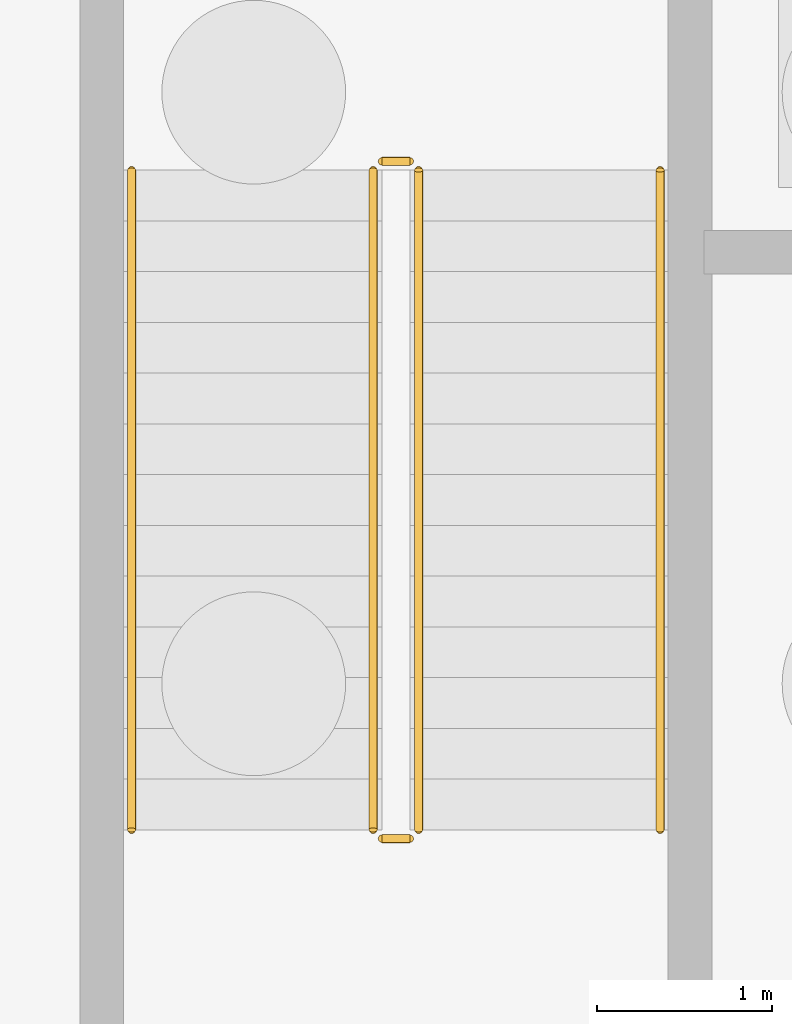
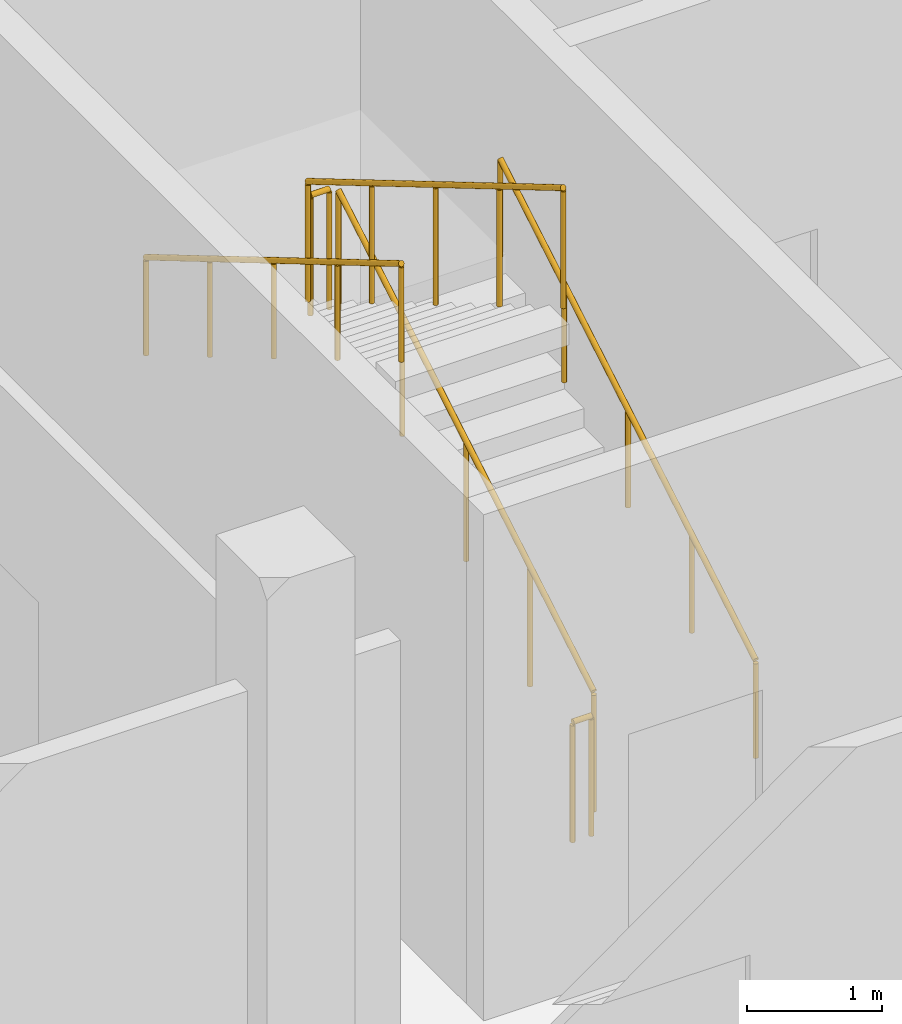
# One storey, part 67 of 72: 6 railings.
"""IFC4 building model written with IfcOpenShell, lengths in metres."""

from ifc_helpers import new_model, si_unit, direction, frame, origin, origin_2d, place, context, subcontext, project, spatial, circle, extrude, material, type_object, element, save


model = new_model("IFC4")

# Units and contexts
model_context = context("Model", 3, precision=1e-05, world=origin(), true_north=direction((0.0, 1.0)))
body_context = subcontext(model_context, "Body", "Model", "MODEL_VIEW")
ifc_project = project(units=[si_unit("LENGTHUNIT", "METRE"), si_unit("AREAUNIT", "SQUARE_METRE"), si_unit("VOLUMEUNIT", "CUBIC_METRE"), si_unit("PLANEANGLEUNIT", "RADIAN"), si_unit("MASSUNIT", "GRAM", prefix="KILO")], contexts=[model_context])

# Site, building, storey
site_placement = place(None, origin())
site = spatial("IfcSite", under=ifc_project, at=site_placement, CompositionType="ELEMENT")
building_placement = place(site_placement, origin())
building = spatial("IfcBuilding", under=site, at=building_placement, Name="Cinderway Yard Community Centre", CompositionType="ELEMENT")
storey_placement = place(building_placement, origin())
storey = spatial("IfcBuildingStorey", under=building, at=storey_placement, Name="L00", CompositionType="ELEMENT", Elevation=0.0)

# Railings
ifc_material = material(Name="Painted Galvanised Steel", Category="steel")
railing_type_1 = type_object("IfcRailingType", Name="INT-RAL-GRD112", PredefinedType="GUARDRAIL", material=ifc_material)
railing_1_placement = place(storey_placement, frame((78.77001953125, 108.429931640625, 0.17138671875)))
element("IfcRailing", 1, at=railing_1_placement, inside=storey, type_object=railing_type_1, Name="L00 ST-02 stair guard 1", PredefinedType="GUARDRAIL", context=body_context, shape_type="SweptSolid", body=[
    extrude(circle(Radius=0.02392578125, at=origin_2d()), frame((0.0, 0.0, 1.076171875), z_axis=(0.0, 0.860848830602, 0.508860777473), x_axis=(-1.0, 0.0, 0.0)), (0.0, 0.0, 1.0), 4.37939453125),
    extrude(circle(Radius=0.02099609375, at=origin_2d()), origin(), (0.0, 0.0, 1.0), 1.052001953125),
    extrude(circle(Radius=0.02099609375, at=origin_2d()), frame((0.0, 0.9423828125, 0.55712890625)), (0.0, 0.0, 1.0), 1.052001953125),
    extrude(circle(Radius=0.02099609375, at=origin_2d()), frame((0.0, 1.885009765625, 1.1142578125)), (0.0, 0.0, 1.0), 1.052001953125),
    extrude(circle(Radius=0.02099609375, at=origin_2d()), frame((0.0, 2.82763671875, 1.67138671875)), (0.0, 0.0, 1.0), 1.052001953125),
    extrude(circle(Radius=0.02099609375, at=origin_2d()), frame((0.0, 3.77001953125, 2.228515625)), (0.0, 0.0, 1.0), 1.052001953125),
])
railing_2_placement = place(storey_placement, frame((78.719970703125, 112.25, 2.39990234375)))
element("IfcRailing", 2, at=railing_2_placement, inside=storey, type_object=railing_type_1, Name="L00 ST-02 stair guard 2", PredefinedType="GUARDRAIL", context=body_context, shape_type="SweptSolid", body=[
    extrude(circle(Radius=0.02392578125, at=origin_2d()), frame((0.0, 0.0, 1.076171875), z_axis=(-1.0, 0.0, 0.0), x_axis=(0.0, -1.0, 0.0)), (0.0, 0.0, 1.0), 0.159912109375),
    extrude(circle(Radius=0.02099609375, at=origin_2d()), origin(), (0.0, 0.0, 1.0), 1.052001953125),
    extrude(circle(Radius=0.02099609375, at=origin_2d()), frame((-0.159912109375, 0.0, 0.0)), (0.0, 0.0, 1.0), 1.052001953125),
])
railing_3_placement = place(storey_placement, frame((78.510009765625, 112.199951171875, 2.571533203125)))
element("IfcRailing", 3, at=railing_3_placement, inside=storey, type_object=railing_type_1, Name="L00 ST-02 stair guard 3", PredefinedType="GUARDRAIL", context=body_context, shape_type="SweptSolid", body=[
    extrude(circle(Radius=0.02392578125, at=origin_2d()), frame((0.0, 0.0, 1.076171875), z_axis=(0.0, -0.860848830602, 0.508860777473), x_axis=(1.0, 0.0, 0.0)), (0.0, 0.0, 1.0), 4.37939453125),
    extrude(circle(Radius=0.02099609375, at=origin_2d()), origin(), (0.0, 0.0, 1.0), 1.052001953125),
    extrude(circle(Radius=0.02099609375, at=origin_2d()), frame((0.0, -0.9423828125, 0.55712890625)), (0.0, 0.0, 1.0), 1.052001953125),
    extrude(circle(Radius=0.02099609375, at=origin_2d()), frame((0.0, -1.885009765625, 1.1142578125)), (0.0, 0.0, 1.0), 1.052001953125),
    extrude(circle(Radius=0.02099609375, at=origin_2d()), frame((0.0, -2.82763671875, 1.67138671875)), (0.0, 0.0, 1.0), 1.052001953125),
    extrude(circle(Radius=0.02099609375, at=origin_2d()), frame((0.0, -3.77001953125, 2.228515625)), (0.0, 0.0, 1.0), 1.052001953125),
])
railing_4_placement = place(storey_placement, frame((78.719970703125, 108.3798828125, 0.0)))
element("IfcRailing", 4, at=railing_4_placement, inside=storey, type_object=railing_type_1, Name="L00 ST-02 stair guard 4", PredefinedType="GUARDRAIL", context=body_context, shape_type="SweptSolid", body=[
    extrude(circle(Radius=0.02392578125, at=origin_2d()), frame((0.0, 0.0, 1.076171875), z_axis=(-1.0, 0.0, 0.0), x_axis=(0.0, -1.0, 0.0)), (0.0, 0.0, 1.0), 0.159912109375),
    extrude(circle(Radius=0.02099609375, at=origin_2d()), origin(), (0.0, 0.0, 1.0), 1.052001953125),
    extrude(circle(Radius=0.02099609375, at=origin_2d()), frame((-0.159912109375, 0.0, 0.0)), (0.0, 0.0, 1.0), 1.052001953125),
])
railing_type_2 = type_object("IfcRailingType", Name="INT-RAL-HND090", PredefinedType="HANDRAIL", material=ifc_material)
railing_5_placement = place(storey_placement, frame((80.14990234375, 108.429931640625, 0.17138671875)))
element("IfcRailing", 5, at=railing_5_placement, inside=storey, type_object=railing_type_2, Name="L00 ST-02 stair handrail 1", PredefinedType="HANDRAIL", context=body_context, shape_type="SweptSolid", body=[
    extrude(circle(Radius=0.02392578125, at=origin_2d()), frame((0.0, 0.0, 0.8759765625), z_axis=(0.0, 0.860848830602, 0.508860777473), x_axis=(-1.0, 0.0, 0.0)), (0.0, 0.0, 1.0), 4.37939453125),
    extrude(circle(Radius=0.02099609375, at=origin_2d()), origin(), (0.0, 0.0, 1.0), 0.851806640625),
    extrude(circle(Radius=0.02099609375, at=origin_2d()), frame((0.0, 0.9423828125, 0.55712890625)), (0.0, 0.0, 1.0), 0.851806640625),
    extrude(circle(Radius=0.02099609375, at=origin_2d()), frame((0.0, 1.885009765625, 1.1142578125)), (0.0, 0.0, 1.0), 0.851806640625),
    extrude(circle(Radius=0.02099609375, at=origin_2d()), frame((0.0, 2.82763671875, 1.67138671875)), (0.0, 0.0, 1.0), 0.851806640625),
    extrude(circle(Radius=0.02099609375, at=origin_2d()), frame((0.0, 3.77001953125, 2.228515625)), (0.0, 0.0, 1.0), 0.851806640625),
])
railing_6_placement = place(storey_placement, frame((77.1298828125, 112.199951171875, 2.571533203125)))
element("IfcRailing", 6, at=railing_6_placement, inside=storey, type_object=railing_type_2, Name="L00 ST-02 stair handrail 2", PredefinedType="HANDRAIL", context=body_context, shape_type="SweptSolid", body=[
    extrude(circle(Radius=0.02392578125, at=origin_2d()), frame((0.0, 0.0, 0.8759765625), z_axis=(0.0, -0.860848830602, 0.508860777473), x_axis=(1.0, 0.0, 0.0)), (0.0, 0.0, 1.0), 4.37939453125),
    extrude(circle(Radius=0.02099609375, at=origin_2d()), origin(), (0.0, 0.0, 1.0), 0.851806640625),
    extrude(circle(Radius=0.02099609375, at=origin_2d()), frame((0.0, -0.9423828125, 0.55712890625)), (0.0, 0.0, 1.0), 0.851806640625),
    extrude(circle(Radius=0.02099609375, at=origin_2d()), frame((0.0, -1.885009765625, 1.1142578125)), (0.0, 0.0, 1.0), 0.851806640625),
    extrude(circle(Radius=0.02099609375, at=origin_2d()), frame((0.0, -2.82763671875, 1.67138671875)), (0.0, 0.0, 1.0), 0.851806640625),
    extrude(circle(Radius=0.02099609375, at=origin_2d()), frame((0.0, -3.77001953125, 2.228515625)), (0.0, 0.0, 1.0), 0.851806640625),
])

save(model, "model.ifc")
